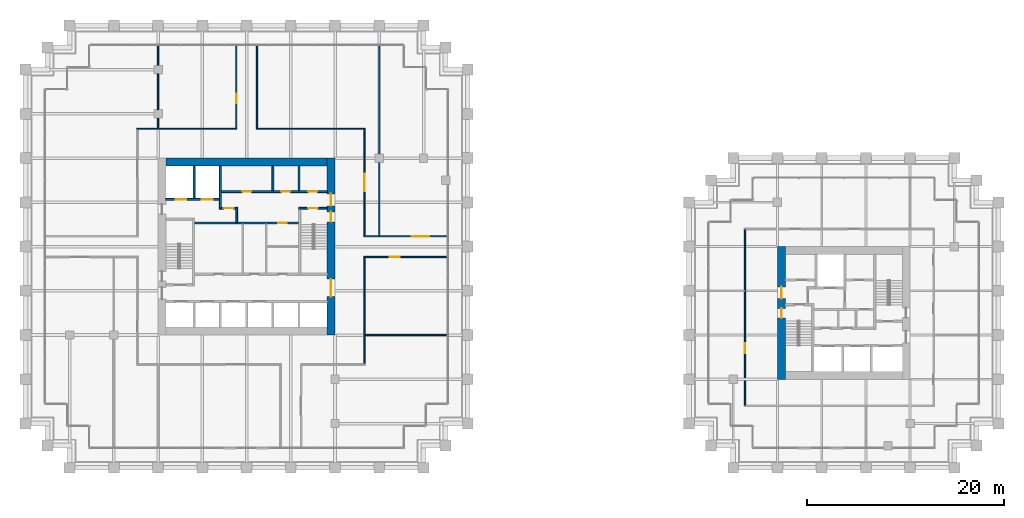
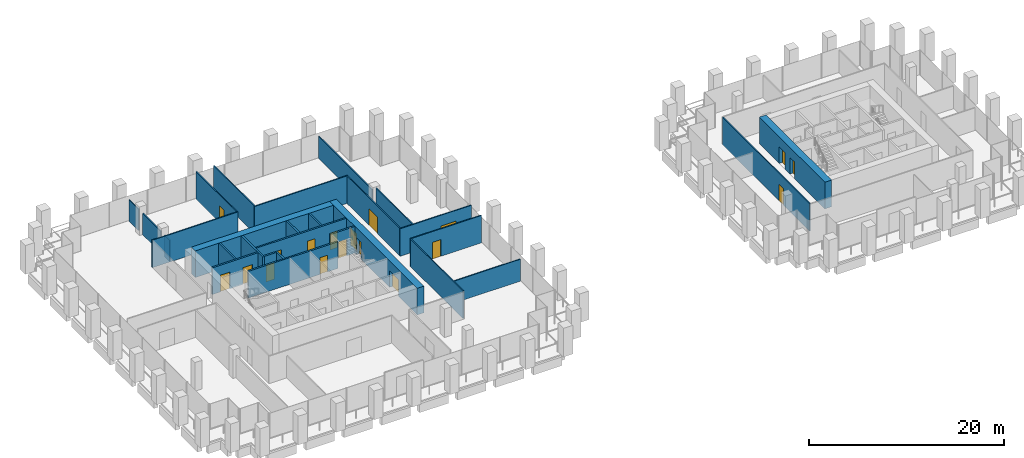
# One storey, part 51 of 54: 28 walls, 18 doors, 18 openings.
"""IFC4 building model written with IfcOpenShell, lengths in metres."""

from ifc_helpers import new_model, si_unit, direction, frame, frame_2d, origin, place, context, subcontext, project, spatial, rectangle, extrude, material, layer, layer_set, type_object, element, fill, save


model = new_model("IFC4")

# Units and contexts
model_context = context("Model", 3, precision=1e-05, world=origin(), true_north=direction((0.0, 1.0)))
body_context = subcontext(model_context, "Body", "Model", "MODEL_VIEW")
ifc_project = project(units=[si_unit("LENGTHUNIT", "METRE"), si_unit("AREAUNIT", "SQUARE_METRE"), si_unit("VOLUMEUNIT", "CUBIC_METRE"), si_unit("PLANEANGLEUNIT", "RADIAN"), si_unit("MASSUNIT", "GRAM", prefix="KILO")], contexts=[model_context])

# Site, building, storey
site_placement = place(None, origin())
site = spatial("IfcSite", under=ifc_project, at=site_placement, CompositionType="ELEMENT")
building_placement = place(site_placement, origin())
building = spatial("IfcBuilding", under=site, at=building_placement, Name="Altepetl Exchange Towers", CompositionType="ELEMENT")
storey_placement = place(building_placement, frame((0.0, 0.0, 61.800048828125)))
storey = spatial("IfcBuildingStorey", under=building, at=storey_placement, Name="L14", CompositionType="ELEMENT", Elevation=61.800048828125)

# Wall, openings, doors
ifc_material_1 = material(Name="Concrete C70/85", Category="concrete")
ifc_layer_1 = layer(ifc_material_1, 0.800048828125)
ifc_layer_set_1 = layer_set([ifc_layer_1], Name="Concrete C70/85")
wall_type_1 = type_object("IfcWallType", Name="Core wall 800 reinforced concrete", PredefinedType="SHEAR", material=ifc_layer_set_1)
wall_1_placement = place(storey_placement, frame((58.10009765625, 40.5, 0.0), z_axis=(0.0, 0.0, 1.0), x_axis=(0.0, 1.0, 0.0)))
wall_1 = element("IfcWall", 1, at=wall_1_placement, inside=storey, type_object=wall_type_1, Name="wall:A:L14:K-coreE", PredefinedType="SHEAR", context=body_context, shape_type="SweptSolid", body=[
    extrude(rectangle(XDim=18.0, YDim=0.800048828125, at=frame_2d((9.0, 0.0))), origin(), (0.0, 0.0, 1.0), 3.349853515625),
])
opening_1_placement = place(wall_1_placement, frame((13.14990234375, 0.0, 0.0)))
opening_1 = element("IfcOpeningElement", 2, at=opening_1_placement, cuts=wall_1, Name="Opening L14.A60", PredefinedType="OPENING", context=body_context, shape_type="SweptSolid", body=[
    extrude(rectangle(XDim=1.199951171875, YDim=2.10009765625, at=frame_2d((0.60009765625, 1.050048828125))), frame((0.0, 0.41015625, 0.0), z_axis=(0.0, -1.0, 0.0), x_axis=(1.0, 0.0, 0.0)), (0.0, 0.0, 1.0), 0.820068359375),
])
opening_2_placement = place(wall_1_placement, frame((3.89990234375, 0.0, 0.0)))
opening_2 = element("IfcOpeningElement", 3, at=opening_2_placement, cuts=wall_1, Name="Opening L14.A61", PredefinedType="OPENING", context=body_context, shape_type="SweptSolid", body=[
    extrude(rectangle(XDim=1.800048828125, YDim=2.10009765625, at=frame_2d((0.89990234375, 1.050048828125))), frame((0.0, 0.41015625, 0.0), z_axis=(0.0, -1.0, 0.0), x_axis=(1.0, 0.0, 0.0)), (0.0, 0.0, 1.0), 0.820068359375),
])
opening_3_placement = place(wall_1_placement, frame((11.52490234375, 0.0, 0.0)))
opening_3 = element("IfcOpeningElement", 4, at=opening_3_placement, cuts=wall_1, Name="Opening L14.A66", PredefinedType="OPENING", context=body_context, shape_type="SweptSolid", body=[
    extrude(rectangle(XDim=1.0, YDim=2.10009765625, at=frame_2d((0.5, 1.050048828125))), frame((0.0, 0.41015625, 0.0), z_axis=(0.0, -1.0, 0.0), x_axis=(1.0, 0.0, 0.0)), (0.0, 0.0, 1.0), 0.820068359375),
])
ifc_material_2 = material(Name="Steel and timber fire door", Category="steel")
door_type_1 = type_object("IfcDoorType", Name="Fire door 1000 x 2100 stair and lobby", OperationType="SINGLE_SWING_LEFT", PredefinedType="DOOR", material=ifc_material_2)
door_1_placement = place(opening_3_placement, origin())
door_1 = element("IfcDoor", 5, at=door_1_placement, inside=storey, type_object=door_type_1, Name="door:A:L14:K-dS2x", OperationType="SINGLE_SWING_RIGHT", OverallHeight=2.10009765625, OverallWidth=1.0, PredefinedType="DOOR", context=body_context, shape_type="SweptSolid", body=[
    extrude(rectangle(XDim=1.0, YDim=2.10009765625, at=frame_2d((0.5, 1.050048828125))), frame((0.0, 0.02490234375, 0.0), z_axis=(0.0, -1.0, 0.0), x_axis=(1.0, 0.0, 0.0)), (0.0, 0.0, 1.0), 0.050048828125),
])
fill(opening_3, door_1)
door_type_2 = type_object("IfcDoorType", Name="Fire door 1200 x 2100 lobby entry", OperationType="SINGLE_SWING_LEFT", PredefinedType="DOOR", material=ifc_material_2)
door_2_placement = place(opening_1_placement, origin())
door_2 = element("IfcDoor", 6, at=door_2_placement, inside=storey, type_object=door_type_2, Name="door:A:L14:K-dLNE", OperationType="SINGLE_SWING_RIGHT", OverallHeight=2.10009765625, OverallWidth=1.199951171875, PredefinedType="DOOR", context=body_context, shape_type="SweptSolid", body=[
    extrude(rectangle(XDim=1.199951171875, YDim=2.10009765625, at=frame_2d((0.60009765625, 1.050048828125))), frame((0.0, 0.02490234375, 0.0), z_axis=(0.0, -1.0, 0.0), x_axis=(1.0, 0.0, 0.0)), (0.0, 0.0, 1.0), 0.050048828125),
])
fill(opening_1, door_2)
door_type_3 = type_object("IfcDoorType", Name="Fire door 1800 x 2100 lobby entry", OperationType="DOUBLE_DOOR_SINGLE_SWING", PredefinedType="DOOR", material=ifc_material_2)
door_3_placement = place(opening_2_placement, origin())
door_3 = element("IfcDoor", 7, at=door_3_placement, inside=storey, type_object=door_type_3, Name="door:A:L14:K-dLSE", OperationType="DOUBLE_DOOR_SINGLE_SWING", OverallHeight=2.10009765625, OverallWidth=1.800048828125, PredefinedType="DOOR", context=body_context, shape_type="SweptSolid", body=[
    extrude(rectangle(XDim=1.800048828125, YDim=2.10009765625, at=frame_2d((0.89990234375, 1.050048828125))), frame((0.0, 0.02490234375, 0.0), z_axis=(0.0, -1.0, 0.0), x_axis=(1.0, 0.0, 0.0)), (0.0, 0.0, 1.0), 0.050048828125),
])
fill(opening_2, door_3)

# Wall
wall_2_placement = place(storey_placement, frame((41.300048828125, 58.10009765625, 0.0)))
element("IfcWall", 8, at=wall_2_placement, inside=storey, type_object=wall_type_1, Name="wall:A:L14:K-coreN", PredefinedType="SHEAR", context=body_context, shape_type="SweptSolid", body=[
    extrude(rectangle(XDim=16.39990234375, YDim=0.800048828125, at=frame_2d((8.199951171875, 0.0))), origin(), (0.0, 0.0, 1.0), 3.349853515625),
])

# Wall, openings, doors
wall_3_placement = place(storey_placement, frame((103.89990234375, 36.0, 0.0), z_axis=(0.0, 0.0, 1.0), x_axis=(0.0, 1.0, 0.0)))
wall_3 = element("IfcWall", 9, at=wall_3_placement, inside=storey, type_object=wall_type_1, Name="wall:B:L14:K-coreW", PredefinedType="SHEAR", context=body_context, shape_type="SweptSolid", body=[
    extrude(rectangle(XDim=13.5, YDim=0.800048828125, at=frame_2d((6.75, 0.0))), origin(), (0.0, 0.0, 1.0), 3.349853515625),
])
opening_4_placement = place(wall_3_placement, frame((8.199951171875, 0.0, 0.0)))
opening_4 = element("IfcOpeningElement", 10, at=opening_4_placement, cuts=wall_3, Name="Opening L14.B60", PredefinedType="OPENING", context=body_context, shape_type="SweptSolid", body=[
    extrude(rectangle(XDim=1.199951171875, YDim=2.10009765625, at=frame_2d((0.60009765625, 1.050048828125))), frame((0.0, 0.41015625, 0.0), z_axis=(0.0, -1.0, 0.0), x_axis=(1.0, 0.0, 0.0)), (0.0, 0.0, 1.0), 0.820068359375),
])
opening_5_placement = place(wall_3_placement, frame((6.22509765625, 0.0, 0.0)))
opening_5 = element("IfcOpeningElement", 11, at=opening_5_placement, cuts=wall_3, Name="Opening L14.B63", PredefinedType="OPENING", context=body_context, shape_type="SweptSolid", body=[
    extrude(rectangle(XDim=1.0, YDim=2.10009765625, at=frame_2d((0.5, 1.050048828125))), frame((0.0, 0.41015625, 0.0), z_axis=(0.0, -1.0, 0.0), x_axis=(1.0, 0.0, 0.0)), (0.0, 0.0, 1.0), 0.820068359375),
])
door_4_placement = place(opening_5_placement, frame((1.0, 0.0, 0.0), x_axis=(-1.0, 0.0, 0.0)))
door_4 = element("IfcDoor", 12, at=door_4_placement, inside=storey, type_object=door_type_1, Name="door:B:L14:K-dS1x", OperationType="SINGLE_SWING_RIGHT", OverallHeight=2.10009765625, OverallWidth=1.0, PredefinedType="DOOR", context=body_context, shape_type="SweptSolid", body=[
    extrude(rectangle(XDim=1.0, YDim=2.10009765625, at=frame_2d((0.5, 1.050048828125))), frame((0.0, 0.02490234375, 0.0), z_axis=(0.0, -1.0, 0.0), x_axis=(1.0, 0.0, 0.0)), (0.0, 0.0, 1.0), 0.050048828125),
])
fill(opening_5, door_4)
door_5_placement = place(opening_4_placement, frame((1.199951171875, 0.0, 0.0), x_axis=(-1.0, 0.0, 0.0)))
door_5 = element("IfcDoor", 13, at=door_5_placement, inside=storey, type_object=door_type_2, Name="door:B:L14:K-dLNW", OperationType="SINGLE_SWING_RIGHT", OverallHeight=2.10009765625, OverallWidth=1.199951171875, PredefinedType="DOOR", context=body_context, shape_type="SweptSolid", body=[
    extrude(rectangle(XDim=1.199951171875, YDim=2.10009765625, at=frame_2d((0.60009765625, 1.050048828125))), frame((0.0, 0.02490234375, 0.0), z_axis=(0.0, -1.0, 0.0), x_axis=(1.0, 0.0, 0.0)), (0.0, 0.0, 1.0), 0.050048828125),
])
fill(opening_4, door_5)

# Wall
ifc_material_3 = material(Name="Concrete blockwork", Category="masonry")
ifc_layer_2 = layer(ifc_material_3, 0.199951171875)
ifc_layer_set_2 = layer_set([ifc_layer_2], Name="Concrete blockwork")
wall_type_2 = type_object("IfcWallType", Name="Lobby wall 200 blockwork", PredefinedType="PARTITIONING", material=ifc_layer_set_2)
wall_4_placement = place(storey_placement, frame((48.5, 51.89990234375, 0.0), z_axis=(0.0, 0.0, 1.0), x_axis=(0.0, 1.0, 0.0)))
element("IfcWall", 14, at=wall_4_placement, inside=storey, type_object=wall_type_2, Name="wall:A:L14:K-ffE", PredefinedType="PARTITIONING", context=body_context, shape_type="SweptSolid", body=[
    extrude(rectangle(XDim=1.60009765625, YDim=0.199951171875, at=frame_2d((0.800048828125, 0.0))), origin(), (0.0, 0.0, 1.0), 3.349853515625),
])

# Wall, opening, door
wall_5_placement = place(storey_placement, frame((46.933349609375, 53.39990234375, 0.0)))
wall_5 = element("IfcWall", 15, at=wall_5_placement, inside=storey, type_object=wall_type_2, Name="wall:A:L14:K-ffN", PredefinedType="PARTITIONING", context=body_context, shape_type="SweptSolid", body=[
    extrude(rectangle(XDim=1.466552734375, YDim=0.199951171875, at=frame_2d((0.7333984375, 0.0))), origin(), (0.0, 0.0, 1.0), 3.349853515625),
])
opening_6_placement = place(wall_5_placement, frame((0.2666015625, 0.0, 0.0)))
opening_6 = element("IfcOpeningElement", 16, at=opening_6_placement, cuts=wall_5, Name="Opening L14.A67", PredefinedType="OPENING", context=body_context, shape_type="SweptSolid", body=[
    extrude(rectangle(XDim=1.0, YDim=2.10009765625, at=frame_2d((0.5, 1.050048828125))), frame((0.0, 0.10986328125, 0.0), z_axis=(0.0, -1.0, 0.0), x_axis=(1.0, 0.0, 0.0)), (0.0, 0.0, 1.0), 0.219970703125),
])
door_6_placement = place(opening_6_placement, frame((1.0, 0.0, 0.0), x_axis=(-1.0, 0.0, 0.0)))
door_6 = element("IfcDoor", 17, at=door_6_placement, inside=storey, type_object=door_type_1, Name="door:A:L14:K-dffN", OperationType="SINGLE_SWING_RIGHT", OverallHeight=2.10009765625, OverallWidth=1.0, PredefinedType="DOOR", context=body_context, shape_type="SweptSolid", body=[
    extrude(rectangle(XDim=1.0, YDim=2.10009765625, at=frame_2d((0.5, 1.050048828125))), frame((0.0, 0.02490234375, 0.0), z_axis=(0.0, -1.0, 0.0), x_axis=(1.0, 0.0, 0.0)), (0.0, 0.0, 1.0), 0.050048828125),
])
fill(opening_6, door_6)

wall_6_placement = place(storey_placement, frame((44.199951171875, 51.89990234375, 0.0)))
wall_6 = element("IfcWall", 18, at=wall_6_placement, inside=storey, type_object=wall_type_2, Name="wall:A:L14:K-zoneN", PredefinedType="PARTITIONING", context=body_context, shape_type="SweptSolid", body=[
    extrude(rectangle(XDim=10.60009765625, YDim=0.199951171875, at=frame_2d((5.300048828125, 0.0))), origin(), (0.0, 0.0, 1.0), 3.349853515625),
])
opening_7_placement = place(wall_6_placement, frame((8.5, 0.0, 0.0)))
opening_7 = element("IfcOpeningElement", 19, at=opening_7_placement, cuts=wall_6, Name="Opening L14.A74", PredefinedType="OPENING", context=body_context, shape_type="SweptSolid", body=[
    extrude(rectangle(XDim=0.89990234375, YDim=2.10009765625, at=frame_2d((0.449951171875, 1.050048828125))), frame((0.0, 0.10986328125, 0.0), z_axis=(0.0, -1.0, 0.0), x_axis=(1.0, 0.0, 0.0)), (0.0, 0.0, 1.0), 0.219970703125),
])
door_type_4 = type_object("IfcDoorType", Name="Fire door 900 x 2100 service room", OperationType="SINGLE_SWING_LEFT", PredefinedType="DOOR", material=ifc_material_2)
door_7_placement = place(opening_7_placement, frame((0.89990234375, 0.0, 0.0), x_axis=(-1.0, 0.0, 0.0)))
door_7 = element("IfcDoor", 20, at=door_7_placement, inside=storey, type_object=door_type_4, Name="door:A:L14:K-dz3", OperationType="SINGLE_SWING_LEFT", OverallHeight=2.10009765625, OverallWidth=0.89990234375, PredefinedType="DOOR", context=body_context, shape_type="SweptSolid", body=[
    extrude(rectangle(XDim=0.89990234375, YDim=2.10009765625, at=frame_2d((0.449951171875, 1.050048828125))), frame((0.0, 0.02490234375, 0.0), z_axis=(0.0, -1.0, 0.0), x_axis=(1.0, 0.0, 0.0)), (0.0, 0.0, 1.0), 0.050048828125),
])
fill(opening_7, door_7)

# Wall
ifc_material_4 = material(Name="Gypsum board on steel studs", Category="steel")
ifc_layer_3 = layer(ifc_material_4, 0.125)
ifc_layer_set_3 = layer_set([ifc_layer_3], Name="Gypsum board on steel studs")
wall_type_3 = type_object("IfcWallType", Name="Partition 125 gypsum board on steel studs", PredefinedType="PARTITIONING", material=ifc_layer_set_3)
wall_7_placement = place(storey_placement, frame((61.5, 40.5, 0.0)))
element("IfcWall", 21, at=wall_7_placement, inside=storey, type_object=wall_type_3, Name="wall:A:L14:P03", PredefinedType="PARTITIONING", context=body_context, shape_type="SweptSolid", body=[
    extrude(rectangle(XDim=8.39990234375, YDim=0.125, at=frame_2d((4.199951171875, 0.0))), origin(), (0.0, 0.0, 1.0), 2.765869140625),
])

# Wall, opening, door
wall_8_placement = place(storey_placement, frame((61.4375, 48.449951171875, 0.0)))
wall_8 = element("IfcWall", 22, at=wall_8_placement, inside=storey, type_object=wall_type_3, Name="wall:A:L14:P05", PredefinedType="PARTITIONING", context=body_context, shape_type="SweptSolid", body=[
    extrude(rectangle(XDim=8.46240234375, YDim=0.125, at=frame_2d((4.231201171875, 0.0))), origin(), (0.0, 0.0, 1.0), 3.449951171875),
])
opening_8_placement = place(wall_8_placement, frame((2.62451171875, 0.0, 0.0)))
opening_8 = element("IfcOpeningElement", 23, at=opening_8_placement, cuts=wall_8, Name="Opening L14.A05", PredefinedType="OPENING", context=body_context, shape_type="SweptSolid", body=[
    extrude(rectangle(XDim=1.0, YDim=2.10009765625, at=frame_2d((0.5, 1.050048828125))), frame((0.0, 0.072509765625, 0.0), z_axis=(0.0, -1.0, 0.0), x_axis=(1.0, 0.0, 0.0)), (0.0, 0.0, 1.0), 0.14501953125),
])
door_type_5 = type_object("IfcDoorType", Name="Fire door 1000 x 2100 single leaf", OperationType="SINGLE_SWING_LEFT", PredefinedType="DOOR", material=ifc_material_2)
door_8_placement = place(opening_8_placement, frame((1.0, 0.0, 0.0), x_axis=(-1.0, 0.0, 0.0)))
door_8 = element("IfcDoor", 24, at=door_8_placement, inside=storey, type_object=door_type_5, Name="door:A:L14:05", OperationType="SINGLE_SWING_LEFT", OverallHeight=2.10009765625, OverallWidth=1.0, PredefinedType="DOOR", context=body_context, shape_type="SweptSolid", body=[
    extrude(rectangle(XDim=1.0, YDim=2.10009765625, at=frame_2d((0.5, 1.050048828125))), frame((0.0, 0.02490234375, 0.0), z_axis=(0.0, -1.0, 0.0), x_axis=(1.0, 0.0, 0.0)), (0.0, 0.0, 1.0), 0.050048828125),
])
fill(opening_8, door_8)

wall_9_placement = place(storey_placement, frame((61.4375, 50.550048828125, 0.0)))
wall_9 = element("IfcWall", 25, at=wall_9_placement, inside=storey, type_object=wall_type_3, Name="wall:A:L14:P07", PredefinedType="PARTITIONING", context=body_context, shape_type="SweptSolid", body=[
    extrude(rectangle(XDim=8.46240234375, YDim=0.125, at=frame_2d((4.231201171875, 0.0))), origin(), (0.0, 0.0, 1.0), 3.449951171875),
])
opening_9_placement = place(wall_9_placement, frame((4.847412109375, 0.0, 0.0)))
opening_9 = element("IfcOpeningElement", 26, at=opening_9_placement, cuts=wall_9, Name="Opening L14.A06", PredefinedType="OPENING", context=body_context, shape_type="SweptSolid", body=[
    extrude(rectangle(XDim=1.800048828125, YDim=2.10009765625, at=frame_2d((0.89990234375, 1.050048828125))), frame((0.0, 0.072509765625, 0.0), z_axis=(0.0, -1.0, 0.0), x_axis=(1.0, 0.0, 0.0)), (0.0, 0.0, 1.0), 0.14501953125),
])
door_type_6 = type_object("IfcDoorType", Name="Fire door 1800 x 2100 double leaf", OperationType="DOUBLE_DOOR_SINGLE_SWING", PredefinedType="DOOR", material=ifc_material_2)
door_9_placement = place(opening_9_placement, origin())
door_9 = element("IfcDoor", 27, at=door_9_placement, inside=storey, type_object=door_type_6, Name="door:A:L14:06", OperationType="DOUBLE_DOOR_SINGLE_SWING", OverallHeight=2.10009765625, OverallWidth=1.800048828125, PredefinedType="DOOR", context=body_context, shape_type="SweptSolid", body=[
    extrude(rectangle(XDim=1.800048828125, YDim=2.10009765625, at=frame_2d((0.89990234375, 1.050048828125))), frame((0.0, 0.02490234375, 0.0), z_axis=(0.0, -1.0, 0.0), x_axis=(1.0, 0.0, 0.0)), (0.0, 0.0, 1.0), 0.050048828125),
])
fill(opening_9, door_9)

# Walls
wall_10_placement = place(storey_placement, frame((38.33740234375, 61.5, 0.0)))
element("IfcWall", 28, at=wall_10_placement, inside=storey, type_object=wall_type_3, Name="wall:A:L14:P08", PredefinedType="PARTITIONING", context=body_context, shape_type="SweptSolid", body=[
    extrude(rectangle(XDim=10.175048828125, YDim=0.125, at=frame_2d((5.08740234375, 0.0))), origin(), (0.0, 0.0, 1.0), 3.449951171875),
])
wall_11_placement = place(storey_placement, frame((50.487548828125, 61.5, 0.0)))
element("IfcWall", 29, at=wall_11_placement, inside=storey, type_object=wall_type_3, Name="wall:A:L14:P09", PredefinedType="PARTITIONING", context=body_context, shape_type="SweptSolid", body=[
    extrude(rectangle(XDim=11.074951171875, YDim=0.125, at=frame_2d((5.53759765625, 0.0))), origin(), (0.0, 0.0, 1.0), 3.449951171875),
])
wall_12_placement = place(storey_placement, frame((40.5, 61.5, 0.0), z_axis=(0.0, 0.0, 1.0), x_axis=(0.0, 1.0, 0.0)))
element("IfcWall", 30, at=wall_12_placement, inside=storey, type_object=wall_type_3, Name="wall:A:L14:P15", PredefinedType="PARTITIONING", context=body_context, shape_type="SweptSolid", body=[
    extrude(rectangle(XDim=1.074951171875, YDim=0.125, at=frame_2d((0.53759765625, 0.0))), origin(), (0.0, 0.0, 1.0), 2.676025390625),
])
wall_13_placement = place(storey_placement, frame((40.5, 63.425048828125, 0.0), z_axis=(0.0, 0.0, 1.0), x_axis=(0.0, 1.0, 0.0)))
element("IfcWall", 31, at=wall_13_placement, inside=storey, type_object=wall_type_3, Name="wall:A:L14:P16", PredefinedType="PARTITIONING", context=body_context, shape_type="SweptSolid", body=[
    extrude(rectangle(XDim=3.64990234375, YDim=0.125, at=frame_2d((1.824951171875, 0.0))), origin(), (0.0, 0.0, 1.0), 2.676025390625),
])
wall_14_placement = place(storey_placement, frame((40.5, 67.925048828125, 0.0), z_axis=(0.0, 0.0, 1.0), x_axis=(0.0, 1.0, 0.0)))
element("IfcWall", 32, at=wall_14_placement, inside=storey, type_object=wall_type_3, Name="wall:A:L14:P17", PredefinedType="PARTITIONING", context=body_context, shape_type="SweptSolid", body=[
    extrude(rectangle(XDim=1.974853515625, YDim=0.125, at=frame_2d((0.9873046875, 0.0))), origin(), (0.0, 0.0, 1.0), 2.676025390625),
])

# Wall, opening, door
wall_15_placement = place(storey_placement, frame((48.449951171875, 61.5625, 0.0), z_axis=(0.0, 0.0, 1.0), x_axis=(0.0, 1.0, 0.0)))
wall_15 = element("IfcWall", 33, at=wall_15_placement, inside=storey, type_object=wall_type_3, Name="wall:A:L14:P18", PredefinedType="PARTITIONING", context=body_context, shape_type="SweptSolid", body=[
    extrude(rectangle(XDim=8.33740234375, YDim=0.125, at=frame_2d((4.168701171875, 0.0))), origin(), (0.0, 0.0, 1.0), 3.449951171875),
])
opening_10_placement = place(wall_15_placement, frame((2.49951171875, 0.0, 0.0)))
opening_10 = element("IfcOpeningElement", 34, at=opening_10_placement, cuts=wall_15, Name="Opening L14.A08", PredefinedType="OPENING", context=body_context, shape_type="SweptSolid", body=[
    extrude(rectangle(XDim=1.0, YDim=2.10009765625, at=frame_2d((0.5, 1.050048828125))), frame((0.0, 0.072509765625, 0.0), z_axis=(0.0, -1.0, 0.0), x_axis=(1.0, 0.0, 0.0)), (0.0, 0.0, 1.0), 0.14501953125),
])
door_10_placement = place(opening_10_placement, origin())
door_10 = element("IfcDoor", 35, at=door_10_placement, inside=storey, type_object=door_type_5, Name="door:A:L14:08", OperationType="SINGLE_SWING_LEFT", OverallHeight=2.10009765625, OverallWidth=1.0, PredefinedType="DOOR", context=body_context, shape_type="SweptSolid", body=[
    extrude(rectangle(XDim=1.0, YDim=2.10009765625, at=frame_2d((0.5, 1.050048828125))), frame((0.0, 0.02490234375, 0.0), z_axis=(0.0, -1.0, 0.0), x_axis=(1.0, 0.0, 0.0)), (0.0, 0.0, 1.0), 0.050048828125),
])
fill(opening_10, door_10)

# Walls
wall_16_placement = place(storey_placement, frame((50.550048828125, 61.5625, 0.0), z_axis=(0.0, 0.0, 1.0), x_axis=(0.0, 1.0, 0.0)))
element("IfcWall", 36, at=wall_16_placement, inside=storey, type_object=wall_type_3, Name="wall:A:L14:P19", PredefinedType="PARTITIONING", context=body_context, shape_type="SweptSolid", body=[
    extrude(rectangle(XDim=8.33740234375, YDim=0.125, at=frame_2d((4.168701171875, 0.0))), origin(), (0.0, 0.0, 1.0), 3.449951171875),
])
wall_17_placement = place(storey_placement, frame((61.5, 37.5625, 0.0), z_axis=(0.0, 0.0, 1.0), x_axis=(0.0, 1.0, 0.0)))
element("IfcWall", 37, at=wall_17_placement, inside=storey, type_object=wall_type_3, Name="wall:A:L14:P22", PredefinedType="PARTITIONING", context=body_context, shape_type="SweptSolid", body=[
    extrude(rectangle(XDim=10.824951171875, YDim=0.125, at=frame_2d((5.41259765625, 0.0))), origin(), (0.0, 0.0, 1.0), 3.449951171875),
])

# Wall, opening, door
wall_18_placement = place(storey_placement, frame((61.5, 50.612548828125, 0.0), z_axis=(0.0, 0.0, 1.0), x_axis=(0.0, 1.0, 0.0)))
wall_18 = element("IfcWall", 38, at=wall_18_placement, inside=storey, type_object=wall_type_3, Name="wall:A:L14:P23", PredefinedType="PARTITIONING", context=body_context, shape_type="SweptSolid", body=[
    extrude(rectangle(XDim=10.824951171875, YDim=0.125, at=frame_2d((5.41259765625, 0.0))), origin(), (0.0, 0.0, 1.0), 3.449951171875),
])
opening_11_placement = place(wall_18_placement, frame((4.512451171875, 0.0, 0.0)))
opening_11 = element("IfcOpeningElement", 39, at=opening_11_placement, cuts=wall_18, Name="Opening L14.A07", PredefinedType="OPENING", context=body_context, shape_type="SweptSolid", body=[
    extrude(rectangle(XDim=1.800048828125, YDim=2.10009765625, at=frame_2d((0.89990234375, 1.050048828125))), frame((0.0, 0.072509765625, 0.0), z_axis=(0.0, -1.0, 0.0), x_axis=(1.0, 0.0, 0.0)), (0.0, 0.0, 1.0), 0.14501953125),
])
door_11_placement = place(opening_11_placement, frame((1.800048828125, 0.0, 0.0), x_axis=(-1.0, 0.0, 0.0)))
door_11 = element("IfcDoor", 40, at=door_11_placement, inside=storey, type_object=door_type_6, Name="door:A:L14:07", OperationType="DOUBLE_DOOR_SINGLE_SWING", OverallHeight=2.10009765625, OverallWidth=1.800048828125, PredefinedType="DOOR", context=body_context, shape_type="SweptSolid", body=[
    extrude(rectangle(XDim=1.800048828125, YDim=2.10009765625, at=frame_2d((0.89990234375, 1.050048828125))), frame((0.0, 0.02490234375, 0.0), z_axis=(0.0, -1.0, 0.0), x_axis=(1.0, 0.0, 0.0)), (0.0, 0.0, 1.0), 0.050048828125),
])
fill(opening_11, door_11)

# Walls
wall_19_placement = place(storey_placement, frame((63.0, 50.550048828125, 0.0), z_axis=(0.0, 0.0, 1.0), x_axis=(0.0, 1.0, 0.0)))
element("IfcWall", 41, at=wall_19_placement, inside=storey, type_object=wall_type_3, Name="wall:A:L14:P24", PredefinedType="PARTITIONING", context=body_context, shape_type="SweptSolid", body=[
    extrude(rectangle(XDim=7.52490234375, YDim=0.125, at=frame_2d((3.762451171875, 0.0))), origin(), (0.0, 0.0, 1.0), 3.449951171875),
])
wall_20_placement = place(storey_placement, frame((63.0, 58.925048828125, 0.0), z_axis=(0.0, 0.0, 1.0), x_axis=(0.0, 1.0, 0.0)))
element("IfcWall", 42, at=wall_20_placement, inside=storey, type_object=wall_type_3, Name="wall:A:L14:P25", PredefinedType="PARTITIONING", context=body_context, shape_type="SweptSolid", body=[
    extrude(rectangle(XDim=10.974853515625, YDim=0.125, at=frame_2d((5.4873046875, 0.0))), origin(), (0.0, 0.0, 1.0), 2.765869140625),
])

# Wall, opening, door
wall_21_placement = place(storey_placement, frame((100.199951171875, 33.362548828125, 0.0), z_axis=(0.0, 0.0, 1.0), x_axis=(0.0, 1.0, 0.0)))
wall_21 = element("IfcWall", 43, at=wall_21_placement, inside=storey, type_object=wall_type_3, Name="wall:B:L14:P06", PredefinedType="PARTITIONING", context=body_context, shape_type="SweptSolid", body=[
    extrude(rectangle(XDim=17.875, YDim=0.125, at=frame_2d((8.9375, 0.0))), origin(), (0.0, 0.0, 1.0), 3.449951171875),
])
opening_12_placement = place(wall_21_placement, frame((5.28759765625, 0.0, 0.0)))
opening_12 = element("IfcOpeningElement", 44, at=opening_12_placement, cuts=wall_21, Name="Opening L14.B01", PredefinedType="OPENING", context=body_context, shape_type="SweptSolid", body=[
    extrude(rectangle(XDim=1.0, YDim=2.10009765625, at=frame_2d((0.5, 1.050048828125))), frame((0.0, 0.072509765625, 0.0), z_axis=(0.0, -1.0, 0.0), x_axis=(1.0, 0.0, 0.0)), (0.0, 0.0, 1.0), 0.14501953125),
])
door_12_placement = place(opening_12_placement, origin())
door_12 = element("IfcDoor", 45, at=door_12_placement, inside=storey, type_object=door_type_5, Name="door:B:L14:01", OperationType="SINGLE_SWING_LEFT", OverallHeight=2.10009765625, OverallWidth=1.0, PredefinedType="DOOR", context=body_context, shape_type="SweptSolid", body=[
    extrude(rectangle(XDim=1.0, YDim=2.10009765625, at=frame_2d((0.5, 1.050048828125))), frame((0.0, 0.02490234375, 0.0), z_axis=(0.0, -1.0, 0.0), x_axis=(1.0, 0.0, 0.0)), (0.0, 0.0, 1.0), 0.050048828125),
])
fill(opening_12, door_12)

# Walls
ifc_material_5 = material(Name="Concrete C40/50", Category="concrete")
ifc_layer_4 = layer(ifc_material_5, 0.199951171875)
ifc_layer_set_4 = layer_set([ifc_layer_4], Name="Concrete C40/50")
wall_type_4 = type_object("IfcWallType", Name="Shaft wall 200 reinforced concrete", PredefinedType="SHEAR", material=ifc_layer_set_4)
wall_22_placement = place(storey_placement, frame((44.166748046875, 57.699951171875, 0.0), z_axis=(0.0, 0.0, 1.0), x_axis=(0.0, -1.0, 0.0)))
element("IfcWall", 46, at=wall_22_placement, inside=storey, type_object=wall_type_4, Name="wall:A:L14:K-divN1", PredefinedType="SHEAR", context=body_context, shape_type="SweptSolid", body=[
    extrude(rectangle(XDim=3.300048828125, YDim=0.199951171875, at=frame_2d((1.64990234375, 0.0))), origin(), (0.0, 0.0, 1.0), 3.349853515625),
])
wall_23_placement = place(storey_placement, frame((46.833251953125, 57.699951171875, 0.0), z_axis=(0.0, 0.0, 1.0), x_axis=(0.0, -1.0, 0.0)))
element("IfcWall", 47, at=wall_23_placement, inside=storey, type_object=wall_type_4, Name="wall:A:L14:K-divN2", PredefinedType="SHEAR", context=body_context, shape_type="SweptSolid", body=[
    extrude(rectangle(XDim=4.39990234375, YDim=0.199951171875, at=frame_2d((2.199951171875, 0.0))), origin(), (0.0, 0.0, 1.0), 3.349853515625),
])
for number, where, z_axis, x_axis, name in (
    (48, (52.166748046875, 57.699951171875, 0.0), (0.0, 0.0, 1.0), (0.0, -1.0, 0.0), "wall:A:L14:K-divN4"),
    (49, (54.833251953125, 57.699951171875, 0.0), (0.0, 0.0, 1.0), (0.0, -1.0, 0.0), "wall:A:L14:K-divN5"),
):
    element("IfcWall", number, at=place(storey_placement, frame(where, z_axis=z_axis, x_axis=x_axis)), inside=storey, type_object=wall_type_4, Name=name, PredefinedType="SHEAR", context=body_context, shape_type="SweptSolid", body=[
        extrude(rectangle(XDim=2.5, YDim=0.199951171875, at=frame_2d((1.25, 0.0))), origin(), (0.0, 0.0, 1.0), 3.349853515625),
    ])

# Wall, openings, doors
wall_24_placement = place(storey_placement, frame((46.933349609375, 55.10009765625, 0.0)))
wall_24 = element("IfcWall", 50, at=wall_24_placement, inside=storey, type_object=wall_type_4, Name="wall:A:L14:K-frontNb", PredefinedType="SHEAR", context=body_context, shape_type="SweptSolid", body=[
    extrude(rectangle(XDim=10.7666015625, YDim=0.199951171875, at=frame_2d((5.38330078125, 0.0))), origin(), (0.0, 0.0, 1.0), 3.349853515625),
])
opening_13_placement = place(wall_24_placement, frame((8.83349609375, 0.0, 0.0)))
opening_13 = element("IfcOpeningElement", 51, at=opening_13_placement, cuts=wall_24, Name="Opening L14.A69", PredefinedType="OPENING", context=body_context, shape_type="SweptSolid", body=[
    extrude(rectangle(XDim=0.89990234375, YDim=2.10009765625, at=frame_2d((0.449951171875, 1.050048828125))), frame((0.0, 0.10986328125, 0.0), z_axis=(0.0, -1.0, 0.0), x_axis=(1.0, 0.0, 0.0)), (0.0, 0.0, 1.0), 0.219970703125),
])
opening_14_placement = place(wall_24_placement, frame((2.11669921875, 0.0, 0.0)))
opening_14 = element("IfcOpeningElement", 52, at=opening_14_placement, cuts=wall_24, Name="Opening L14.A70", PredefinedType="OPENING", context=body_context, shape_type="SweptSolid", body=[
    extrude(rectangle(XDim=0.89990234375, YDim=2.10009765625, at=frame_2d((0.449951171875, 1.050048828125))), frame((0.0, 0.10986328125, 0.0), z_axis=(0.0, -1.0, 0.0), x_axis=(1.0, 0.0, 0.0)), (0.0, 0.0, 1.0), 0.219970703125),
])
opening_15_placement = place(wall_24_placement, frame((6.11669921875, 0.0, 0.0)))
opening_15 = element("IfcOpeningElement", 53, at=opening_15_placement, cuts=wall_24, Name="Opening L14.A71", PredefinedType="OPENING", context=body_context, shape_type="SweptSolid", body=[
    extrude(rectangle(XDim=0.89990234375, YDim=2.10009765625, at=frame_2d((0.449951171875, 1.050048828125))), frame((0.0, 0.10986328125, 0.0), z_axis=(0.0, -1.0, 0.0), x_axis=(1.0, 0.0, 0.0)), (0.0, 0.0, 1.0), 0.219970703125),
])
door_13_placement = place(opening_13_placement, origin())
door_13 = element("IfcDoor", 54, at=door_13_placement, inside=storey, type_object=door_type_4, Name="door:A:L14:K-driser", OperationType="SINGLE_SWING_RIGHT", OverallHeight=2.10009765625, OverallWidth=0.89990234375, PredefinedType="DOOR", context=body_context, shape_type="SweptSolid", body=[
    extrude(rectangle(XDim=0.89990234375, YDim=2.10009765625, at=frame_2d((0.449951171875, 1.050048828125))), frame((0.0, 0.02490234375, 0.0), z_axis=(0.0, -1.0, 0.0), x_axis=(1.0, 0.0, 0.0)), (0.0, 0.0, 1.0), 0.050048828125),
])
fill(opening_13, door_13)
door_14_placement = place(opening_14_placement, origin())
door_14 = element("IfcDoor", 55, at=door_14_placement, inside=storey, type_object=door_type_4, Name="door:A:L14:K-dslotN2", OperationType="SINGLE_SWING_RIGHT", OverallHeight=2.10009765625, OverallWidth=0.89990234375, PredefinedType="DOOR", context=body_context, shape_type="SweptSolid", body=[
    extrude(rectangle(XDim=0.89990234375, YDim=2.10009765625, at=frame_2d((0.449951171875, 1.050048828125))), frame((0.0, 0.02490234375, 0.0), z_axis=(0.0, -1.0, 0.0), x_axis=(1.0, 0.0, 0.0)), (0.0, 0.0, 1.0), 0.050048828125),
])
fill(opening_14, door_14)
door_15_placement = place(opening_15_placement, origin())
door_15 = element("IfcDoor", 56, at=door_15_placement, inside=storey, type_object=door_type_4, Name="door:A:L14:K-dslotN4", OperationType="SINGLE_SWING_RIGHT", OverallHeight=2.10009765625, OverallWidth=0.89990234375, PredefinedType="DOOR", context=body_context, shape_type="SweptSolid", body=[
    extrude(rectangle(XDim=0.89990234375, YDim=2.10009765625, at=frame_2d((0.449951171875, 1.050048828125))), frame((0.0, 0.02490234375, 0.0), z_axis=(0.0, -1.0, 0.0), x_axis=(1.0, 0.0, 0.0)), (0.0, 0.0, 1.0), 0.050048828125),
])
fill(opening_15, door_15)

wall_25_placement = place(storey_placement, frame((41.300048828125, 54.300048828125, 0.0)))
wall_25 = element("IfcWall", 57, at=wall_25_placement, inside=storey, type_object=wall_type_4, Name="wall:A:L14:K-frontNd", PredefinedType="SHEAR", context=body_context, shape_type="SweptSolid", body=[
    extrude(rectangle(XDim=5.433349609375, YDim=0.199951171875, at=frame_2d((2.716796875, 0.0))), origin(), (0.0, 0.0, 1.0), 3.349853515625),
])
opening_16_placement = place(wall_25_placement, frame((0.9833984375, 0.0, 0.0)))
opening_16 = element("IfcOpeningElement", 58, at=opening_16_placement, cuts=wall_25, Name="Opening L14.A76", PredefinedType="OPENING", context=body_context, shape_type="SweptSolid", body=[
    extrude(rectangle(XDim=1.10009765625, YDim=2.10009765625, at=frame_2d((0.550048828125, 1.050048828125))), frame((0.0, 0.10986328125, 0.0), z_axis=(0.0, -1.0, 0.0), x_axis=(1.0, 0.0, 0.0)), (0.0, 0.0, 1.0), 0.219970703125),
])
opening_17_placement = place(wall_25_placement, frame((3.64990234375, 0.0, 0.0)))
opening_17 = element("IfcOpeningElement", 59, at=opening_17_placement, cuts=wall_25, Name="Opening L14.A77", PredefinedType="OPENING", context=body_context, shape_type="SweptSolid", body=[
    extrude(rectangle(XDim=1.10009765625, YDim=2.10009765625, at=frame_2d((0.550048828125, 1.050048828125))), frame((0.0, 0.10986328125, 0.0), z_axis=(0.0, -1.0, 0.0), x_axis=(1.0, 0.0, 0.0)), (0.0, 0.0, 1.0), 0.219970703125),
])
ifc_material_6 = material(Name="Stainless steel", Category="steel")
door_type_7 = type_object("IfcDoorType", Name="Lift landing door 1100 x 2100", OperationType="SLIDING_TO_LEFT", PredefinedType="DOOR", material=ifc_material_6)
door_16_placement = place(opening_16_placement, origin())
door_16 = element("IfcDoor", 60, at=door_16_placement, inside=storey, type_object=door_type_7, Name="Landing door FFL1", OperationType="SLIDING_TO_LEFT", OverallHeight=2.10009765625, OverallWidth=1.10009765625, PredefinedType="DOOR", context=body_context, shape_type="SweptSolid", body=[
    extrude(rectangle(XDim=1.10009765625, YDim=2.10009765625, at=frame_2d((0.550048828125, 1.050048828125))), frame((0.0, 0.02490234375, 0.0), z_axis=(0.0, -1.0, 0.0), x_axis=(1.0, 0.0, 0.0)), (0.0, 0.0, 1.0), 0.050048828125),
])
fill(opening_16, door_16)
door_17_placement = place(opening_17_placement, origin())
door_17 = element("IfcDoor", 61, at=door_17_placement, inside=storey, type_object=door_type_7, Name="Landing door FFL2", OperationType="SLIDING_TO_LEFT", OverallHeight=2.10009765625, OverallWidth=1.10009765625, PredefinedType="DOOR", context=body_context, shape_type="SweptSolid", body=[
    extrude(rectangle(XDim=1.10009765625, YDim=2.10009765625, at=frame_2d((0.550048828125, 1.050048828125))), frame((0.0, 0.02490234375, 0.0), z_axis=(0.0, -1.0, 0.0), x_axis=(1.0, 0.0, 0.0)), (0.0, 0.0, 1.0), 0.050048828125),
])
fill(opening_17, door_17)

# Wall, opening, door
ifc_layer_5 = layer(ifc_material_5, 0.199951171875)
ifc_layer_set_5 = layer_set([ifc_layer_5], Name="Concrete C40/50")
wall_type_5 = type_object("IfcWallType", Name="Stair wall 200 reinforced concrete", PredefinedType="SHEAR", material=ifc_layer_set_5)
wall_26_placement = place(storey_placement, frame((54.800048828125, 53.39990234375, 0.0)))
wall_26 = element("IfcWall", 62, at=wall_26_placement, inside=storey, type_object=wall_type_5, Name="wall:A:L14:K-stS2N", PredefinedType="SHEAR", context=body_context, shape_type="SweptSolid", body=[
    extrude(rectangle(XDim=2.89990234375, YDim=0.199951171875, at=frame_2d((1.449951171875, 0.0))), origin(), (0.0, 0.0, 1.0), 3.349853515625),
])
opening_18_placement = place(wall_26_placement, frame((0.949951171875, 0.0, 0.0)))
opening_18 = element("IfcOpeningElement", 63, at=opening_18_placement, cuts=wall_26, Name="Opening L14.A65", PredefinedType="OPENING", context=body_context, shape_type="SweptSolid", body=[
    extrude(rectangle(XDim=1.0, YDim=2.10009765625, at=frame_2d((0.5, 1.050048828125))), frame((0.0, 0.10986328125, 0.0), z_axis=(0.0, -1.0, 0.0), x_axis=(1.0, 0.0, 0.0)), (0.0, 0.0, 1.0), 0.219970703125),
])
door_18_placement = place(opening_18_placement, frame((1.0, 0.0, 0.0), x_axis=(-1.0, 0.0, 0.0)))
door_18 = element("IfcDoor", 64, at=door_18_placement, inside=storey, type_object=door_type_1, Name="door:A:L14:K-dS2in", OperationType="SINGLE_SWING_LEFT", OverallHeight=2.10009765625, OverallWidth=1.0, PredefinedType="DOOR", context=body_context, shape_type="SweptSolid", body=[
    extrude(rectangle(XDim=1.0, YDim=2.10009765625, at=frame_2d((0.5, 1.050048828125))), frame((0.0, 0.02490234375, 0.0), z_axis=(0.0, -1.0, 0.0), x_axis=(1.0, 0.0, 0.0)), (0.0, 0.0, 1.0), 0.050048828125),
])
fill(opening_18, door_18)

save(model, "model.ifc")
